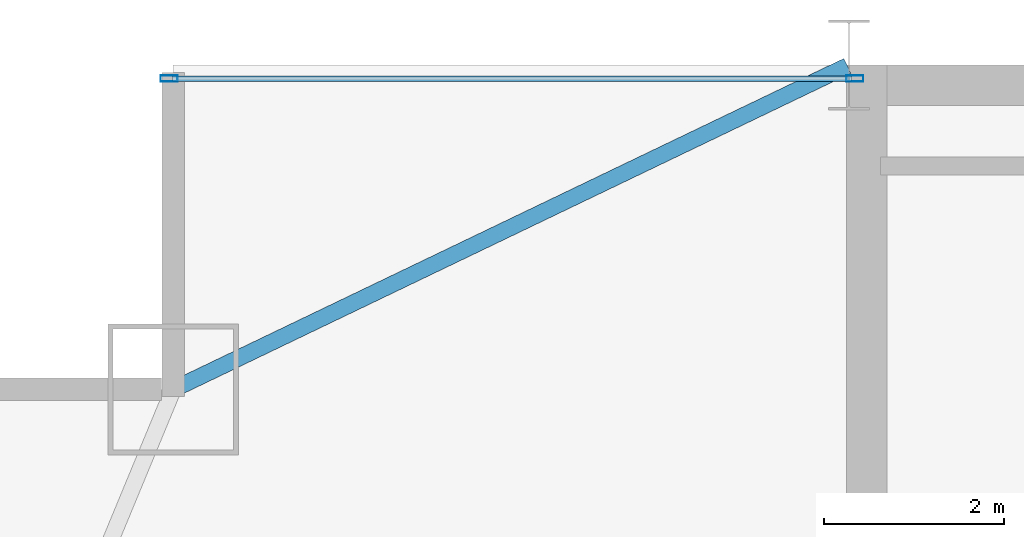
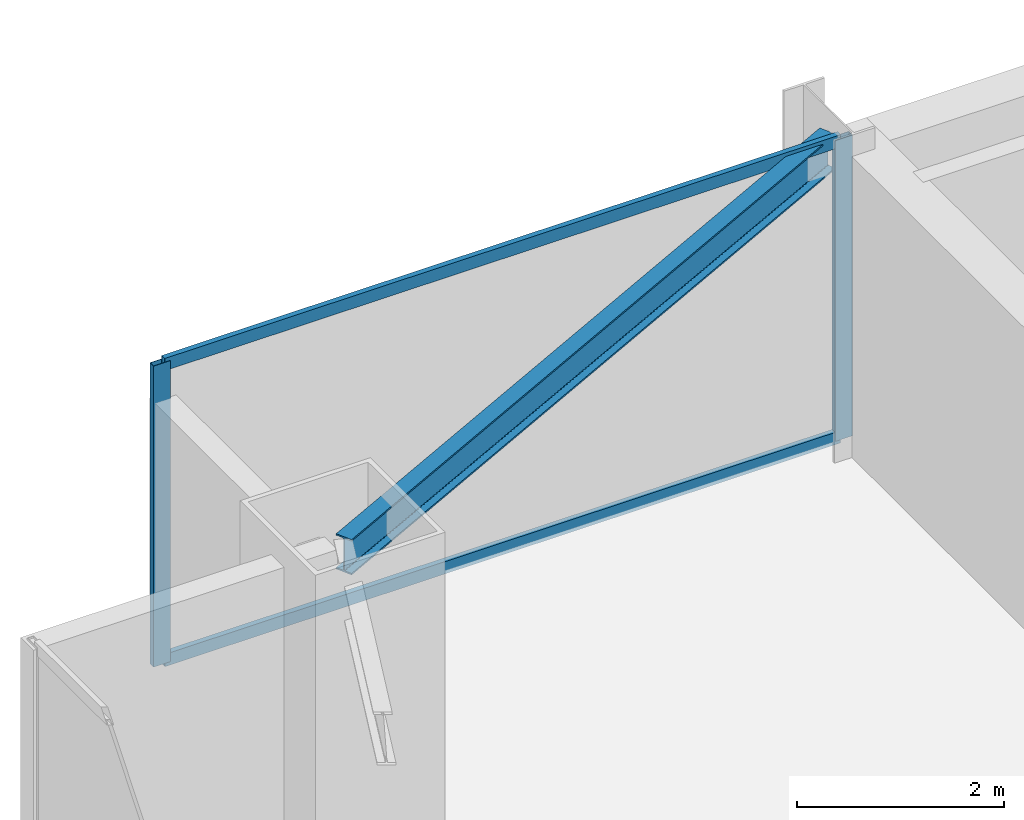
# One storey, part 22 of 37: 4 members, 1 beam, 1 element without a shape of its own.
"""IFC4 building model written with IfcOpenShell, lengths in metres."""

from ifc_helpers import new_model, si_unit, direction, frame, origin, origin_2d, place, context, subcontext, project, spatial, hollow_rectangle, i_section, extrude, source, transform, mapped, material, layer, layer_set, material_profile, profile_set, type_object, type_shapes, element, aggregate, save


model = new_model("IFC4")

# Units and contexts
model_context = context("Model", 3, precision=1e-05, world=origin(), true_north=direction((0.0, 1.0)))
body_context = subcontext(model_context, "Body", "Model", "MODEL_VIEW")
ifc_project = project(units=[si_unit("LENGTHUNIT", "METRE"), si_unit("AREAUNIT", "SQUARE_METRE"), si_unit("VOLUMEUNIT", "CUBIC_METRE"), si_unit("PLANEANGLEUNIT", "RADIAN"), si_unit("MASSUNIT", "GRAM", prefix="KILO")], contexts=[model_context])

# Site, building, storey
site_placement = place(None, origin())
site = spatial("IfcSite", under=ifc_project, at=site_placement, CompositionType="ELEMENT")
building_placement = place(site_placement, origin())
building = spatial("IfcBuilding", under=site, at=building_placement, Name="Varnel Quay Broadcast Tower", CompositionType="ELEMENT")
storey_placement = place(building_placement, frame((0.0, 0.0, 106.800048828125)))
storey = spatial("IfcBuildingStorey", under=building, at=storey_placement, Name="L25", CompositionType="ELEMENT", Elevation=106.800048828125)

# Beam
ifc_material_1 = material(Name="Structural Steel CSA G40.21 350W", Category="steel")
ifc_material_profile_1 = material_profile(ifc_material_1, i_section(OverallWidth=0.180908203125, OverallDepth=0.4169921875, WebThickness=0.010986328125, FlangeThickness=0.018310546875, FilletRadius=0.011962890625, at=origin_2d()), Name="W410X85")
ifc_profile_set_1 = profile_set([ifc_material_profile_1], Name="Structural Steel CSA G40.21 350W")
beam_type = type_object("IfcBeamType", Name="Beam_W410X85", PredefinedType="SPANDREL", material=ifc_profile_set_1)
shared_shape_1 = source(origin(), body_context, "Body", "SweptSolid", [
    extrude(i_section(OverallWidth=0.180908203125, OverallDepth=0.4169921875, WebThickness=0.010986328125, FlangeThickness=0.018310546875, FilletRadius=0.011962890625, at=origin_2d()), origin(), (0.0, 0.0, 1.0), 8.279296875),
])
type_shapes(beam_type, [shared_shape_1])
beam_placement = place(storey_placement, frame((8.117919921875, 43.208740234375, 3.341552734375), z_axis=(0.901535021024, 0.432706142626, 0.0), x_axis=(-0.432706142626, 0.901535021024, 0.0)))
element("IfcBeam", 1, at=beam_placement, inside=storey, type_object=beam_type, Name="L25 NW Tie Spandrel", PredefinedType="SPANDREL", context=body_context, shape_type="MappedRepresentation", body=[
    mapped(shared_shape_1, transform((0.0, 0.0, 0.0), x_axis=(1.0, 0.0, 0.0), y_axis=(0.0, 1.0, 0.0), z_axis=(0.0, 0.0, 1.0), scale=1.0)),
])

# Curtain wall, members
ifc_material_2 = material(Name="Anodised Bronze Aluminium 6063-T6", Category="aluminium")
ifc_layer = layer(ifc_material_2, 0.18994140625, Name="Anodised Bronze Aluminium 6063-T6")
ifc_layer_set = layer_set([ifc_layer], Name="Anodised Bronze Aluminium 6063-T6")
curtain_wall_type = type_object("IfcCurtainWallType", Name="CW_LowerTower", PredefinedType="NOTDEFINED", material=ifc_layer_set)
curtain_wall_placement = place(storey_placement, origin())
curtain_wall = element("IfcCurtainWall", 2, at=curtain_wall_placement, inside=storey, type_object=curtain_wall_type, Name="L25 NW Wing Curtain Wall", PredefinedType="NOTDEFINED")
ifc_material_profile_2 = material_profile(ifc_material_2, hollow_rectangle(XDim=0.070068359375, YDim=0.18994140625, WallThickness=0.00390625, at=origin_2d()), Name="ALU70X190X4")
ifc_profile_set_2 = profile_set([ifc_material_profile_2], Name="Anodised Bronze Aluminium 6063-T6")
member_type_1 = type_object("IfcMemberType", Name="Mull_CWS-02", PredefinedType="MULLION", material=ifc_profile_set_2)
shared_shape_2 = source(origin(), body_context, "Body", "SweptSolid", [
    extrude(hollow_rectangle(XDim=0.070068359375, YDim=0.18994140625, WallThickness=0.00390625, at=origin_2d()), origin(), (0.0, 0.0, 1.0), 3.550048828125),
])
type_shapes(member_type_1, [shared_shape_2])
member_1_placement = place(storey_placement, frame((8.054931640625, 46.64990234375, 0.0), z_axis=(0.0, 0.0, 1.0), x_axis=(0.0, 1.0, 0.0)))
member_1 = element("IfcMember", 3, at=member_1_placement, type_object=member_type_1, Name="CWS-02 mullion 1", PredefinedType="MULLION", context=body_context, shape_type="MappedRepresentation", body=[
    mapped(shared_shape_2, transform((0.0, 0.0, 0.0), x_axis=(1.0, 0.0, 0.0), y_axis=(0.0, 1.0, 0.0), z_axis=(0.0, 0.0, 1.0), scale=1.0)),
])
member_2_placement = place(storey_placement, frame((15.6650390625, 46.64990234375, 0.0), z_axis=(0.0, 0.0, 1.0), x_axis=(0.0, 1.0, 0.0)))
member_2 = element("IfcMember", 4, at=member_2_placement, type_object=member_type_1, Name="CWS-02 mullion 2", PredefinedType="MULLION", context=body_context, shape_type="MappedRepresentation", body=[
    mapped(shared_shape_2, transform((0.0, 0.0, 0.0), x_axis=(1.0, 0.0, 0.0), y_axis=(0.0, 1.0, 0.0), z_axis=(0.0, 0.0, 1.0), scale=1.0)),
])
ifc_material_profile_3 = material_profile(ifc_material_2, hollow_rectangle(XDim=0.06005859375, YDim=0.14501953125, WallThickness=0.00341796875, at=origin_2d()), Name="ALU60X145X3.5")
ifc_profile_set_3 = profile_set([ifc_material_profile_3], Name="Anodised Bronze Aluminium 6063-T6")
member_type_2 = type_object("IfcMemberType", Name="Tran_CWS-02", PredefinedType="USERDEFINED", material=ifc_profile_set_3)
shared_shape_3 = source(origin(), body_context, "Body", "SweptSolid", [
    extrude(hollow_rectangle(XDim=0.06005859375, YDim=0.14501953125, WallThickness=0.00341796875, at=origin_2d()), origin(), (0.0, 0.0, 1.0), 7.539794921875),
])
type_shapes(member_type_2, [shared_shape_3])
member_3_placement = place(storey_placement, frame((8.090087890625, 46.64990234375, 0.030029296875), z_axis=(1.0, 0.0, 0.0), x_axis=(0.0, 1.0, 0.0)))
member_3 = element("IfcMember", 5, at=member_3_placement, type_object=member_type_2, Name="CWS-02 transom 1.1", ObjectType="TRANSOM", PredefinedType="USERDEFINED", context=body_context, shape_type="MappedRepresentation", body=[
    mapped(shared_shape_3, transform((0.0, 0.0, 0.0), x_axis=(1.0, 0.0, 0.0), y_axis=(0.0, 1.0, 0.0), z_axis=(0.0, 0.0, 1.0), scale=1.0)),
])
member_4_placement = place(storey_placement, frame((8.090087890625, 46.64990234375, 3.52001953125), z_axis=(1.0, 0.0, 0.0), x_axis=(0.0, 1.0, 0.0)))
member_4 = element("IfcMember", 6, at=member_4_placement, type_object=member_type_2, Name="CWS-02 transom 1.2", ObjectType="TRANSOM", PredefinedType="USERDEFINED", context=body_context, shape_type="MappedRepresentation", body=[
    mapped(shared_shape_3, transform((0.0, 0.0, 0.0), x_axis=(1.0, 0.0, 0.0), y_axis=(0.0, 1.0, 0.0), z_axis=(0.0, 0.0, 1.0), scale=1.0)),
])
aggregate(curtain_wall, [member_1, member_2, member_3, member_4])

save(model, "model.ifc")
